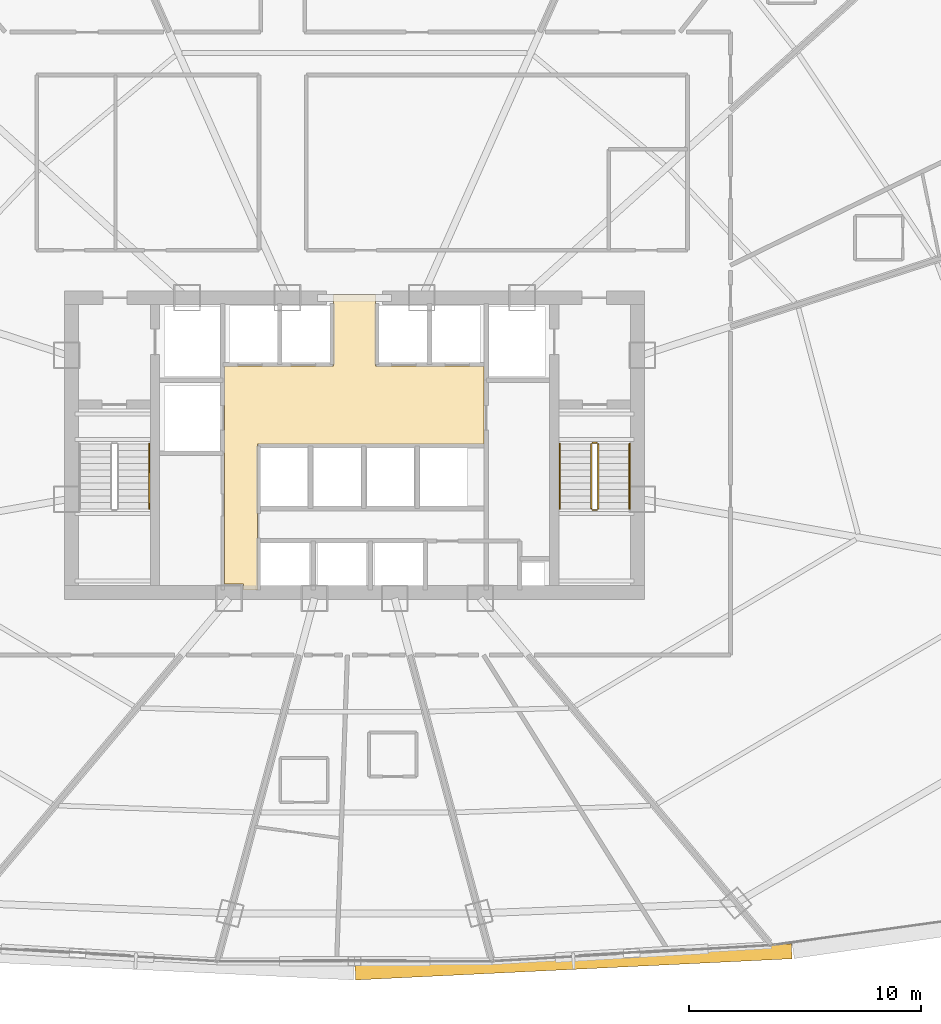
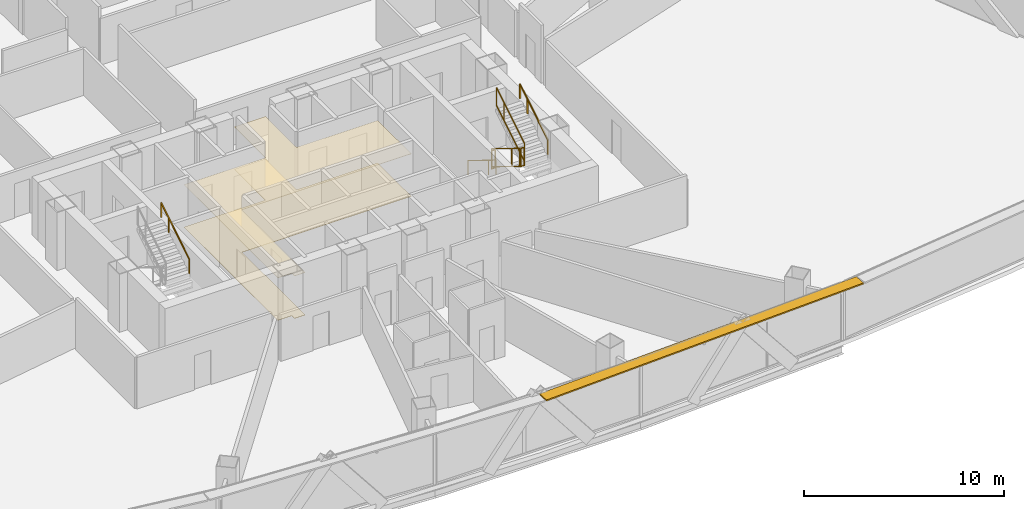
# One storey, part 35 of 37: 7 railings, 2 coverings, 1 shading device.
"""IFC4 building model written with IfcOpenShell, lengths in metres."""

from ifc_helpers import new_model, si_unit, direction, frame, origin, origin_2d, place, context, subcontext, project, spatial, polyline, rectangle, outline, extrude, source, transform, mapped, material, layer, layer_set, type_object, element, save


model = new_model("IFC4")

# Units and contexts
model_context = context("Model", 3, precision=1e-05, world=origin(), true_north=direction((0.0, 1.0)))
body_context = subcontext(model_context, "Body", "Model", "MODEL_VIEW")
ifc_project = project(units=[si_unit("LENGTHUNIT", "METRE"), si_unit("AREAUNIT", "SQUARE_METRE"), si_unit("VOLUMEUNIT", "CUBIC_METRE"), si_unit("PLANEANGLEUNIT", "RADIAN"), si_unit("MASSUNIT", "GRAM", prefix="KILO"), si_unit("THERMODYNAMICTEMPERATUREUNIT", "KELVIN"), si_unit("POWERUNIT", "WATT")], contexts=[model_context])

# Site, building, storey
site_placement = place(None, origin())
site = spatial("IfcSite", under=ifc_project, at=site_placement, CompositionType="ELEMENT")
building_placement = place(site_placement, origin())
building = spatial("IfcBuilding", under=site, at=building_placement, Name="Yunzhuo Pagoda Commons", CompositionType="ELEMENT")
storey_placement = place(building_placement, frame((0.0, 0.0, 84.97998046875)))
storey = spatial("IfcBuildingStorey", under=building, at=storey_placement, Name="L21", CompositionType="ELEMENT", Elevation=84.97998046875)

# Coverings
ifc_material_1 = material(Name="Mineral fibre acoustic ceiling board")
ifc_layer_1 = layer(ifc_material_1, 0.02490234375)
ifc_layer_set_1 = layer_set([ifc_layer_1], Name="Mineral fibre acoustic ceiling board")
covering_type_1 = type_object("IfcCoveringType", Name="COV-CL1 Ceiling 25", PredefinedType="CEILING", material=ifc_layer_set_1)
covering_1_placement = place(storey_placement, frame((0.0, 0.0, 2.590087890625)))
element("IfcCovering", 1, at=covering_1_placement, inside=storey, type_object=covering_type_1, Name="L21 lift lobby acoustic ceiling", PredefinedType="CEILING", context=body_context, shape_type="SweptSolid", body=[
    extrude(outline(polyline([(43.207763671875, 27.85009765625), (43.201904296875, 27.864013671875), (43.187744140625, 27.8701171875), (42.39990234375, 27.8701171875), (42.39990234375, 33.89990234375), (42.39990234375, 37.25), (47.10009765625, 37.25), (47.10009765625, 40.35009765625), (48.89990234375, 40.35009765625), (48.89990234375, 37.25), (53.580078125, 37.25), (53.580078125, 33.89990234375), (43.820068359375, 33.89990234375), (43.820068359375, 27.60009765625), (43.207763671875, 27.60009765625), (43.207763671875, 27.85009765625)])), origin(), (0.0, 0.0, 1.0), 0.02490234375),
])
ifc_material_2 = material(Name="Porcelain ceramic floor tile")
ifc_layer_2 = layer(ifc_material_2, 0.02001953125)
ifc_layer_set_2 = layer_set([ifc_layer_2], Name="Porcelain ceramic floor tile")
covering_type_2 = type_object("IfcCoveringType", Name="COV-FL1 Flooring 20", PredefinedType="FLOORING", material=ifc_layer_set_2)
covering_2_placement = place(storey_placement, origin())
element("IfcCovering", 2, at=covering_2_placement, inside=storey, type_object=covering_type_2, Name="L21 lift lobby flooring", PredefinedType="FLOORING", context=body_context, shape_type="SweptSolid", body=[
    extrude(outline(polyline([(43.207763671875, 27.85009765625), (43.201904296875, 27.864013671875), (43.187744140625, 27.8701171875), (42.39990234375, 27.8701171875), (42.39990234375, 33.89990234375), (42.39990234375, 37.25), (47.10009765625, 37.25), (47.10009765625, 40.35009765625), (48.89990234375, 40.35009765625), (48.89990234375, 37.25), (53.580078125, 37.25), (53.580078125, 33.89990234375), (43.820068359375, 33.89990234375), (43.820068359375, 27.60009765625), (43.207763671875, 27.60009765625), (43.207763671875, 27.85009765625)])), origin(), (0.0, 0.0, 1.0), 0.02001953125),
])

# Railings
ifc_material_3 = material(Name="Anodized aluminium 6063-T6", Category="aluminium")
railing_type_1 = type_object("IfcRailingType", Name="GR-ST2 Stair Well Guardrail 1160", PredefinedType="GUARDRAIL", material=ifc_material_3)
railing_1_placement = place(storey_placement, frame((58.199951171875, 33.89990234375, 0.1728515625)))
element("IfcRailing", 3, at=railing_1_placement, inside=storey, type_object=railing_type_1, Name="L21 ST2 stair guard 1", PredefinedType="GUARDRAIL", context=body_context, shape_type="SweptSolid", body=[
    extrude(rectangle(XDim=0.048095703125, YDim=0.048095703125, at=origin_2d()), frame((0.0, 0.0, 1.1259765625), z_axis=(0.0, -0.851102337555, 0.524999820009), x_axis=(1.0, 0.0, 0.0)), (0.0, 0.0, 1.0), 3.28955078125),
    extrude(rectangle(XDim=0.048095703125, YDim=0.048095703125, at=origin_2d()), frame((0.0, 0.0, 0.02392578125), z_axis=(0.0, -0.851102337555, 0.524999820009), x_axis=(1.0, 0.0, 0.0)), (0.0, 0.0, 1.0), 3.28955078125),
    extrude(rectangle(XDim=0.0419921875, YDim=0.0419921875, at=origin_2d()), origin(), (0.0, 0.0, 1.0), 1.101806640625),
    extrude(rectangle(XDim=0.0419921875, YDim=0.0419921875, at=origin_2d()), frame((0.0, -2.042724609375, 1.260009765625)), (0.0, 0.0, 1.0), 1.101806640625),
    extrude(rectangle(XDim=0.0419921875, YDim=0.0419921875, at=origin_2d()), frame((0.0, -2.7998046875, 1.72705078125)), (0.0, 0.0, 1.0), 1.101806640625),
])
railing_2_placement = place(storey_placement, frame((58.25, 31.050048828125, 1.89990234375)))
element("IfcRailing", 4, at=railing_2_placement, inside=storey, type_object=railing_type_1, Name="L21 ST2 stair guard 2", PredefinedType="GUARDRAIL", context=body_context, shape_type="SweptSolid", body=[
    extrude(rectangle(XDim=0.048095703125, YDim=0.048095703125, at=origin_2d()), frame((0.0, 0.0, 1.1259765625), z_axis=(1.0, 0.0, 0.0), x_axis=(0.0, 1.0, 0.0)), (0.0, 0.0, 1.0), 0.199951171875),
    extrude(rectangle(XDim=0.048095703125, YDim=0.048095703125, at=origin_2d()), frame((0.0, 0.0, 0.02392578125), z_axis=(1.0, 0.0, 0.0), x_axis=(0.0, 1.0, 0.0)), (0.0, 0.0, 1.0), 0.199951171875),
    extrude(rectangle(XDim=0.0419921875, YDim=0.0419921875, at=origin_2d()), origin(), (0.0, 0.0, 1.0), 1.101806640625),
    extrude(rectangle(XDim=0.0419921875, YDim=0.0419921875, at=origin_2d()), frame((0.199951171875, 0.0, 0.0)), (0.0, 0.0, 1.0), 1.101806640625),
])
railing_3_placement = place(storey_placement, frame((58.5, 31.10009765625, 2.07275390625)))
element("IfcRailing", 5, at=railing_3_placement, inside=storey, type_object=railing_type_1, Name="L21 ST2 stair guard 3", PredefinedType="GUARDRAIL", context=body_context, shape_type="SweptSolid", body=[
    extrude(rectangle(XDim=0.048095703125, YDim=0.048095703125, at=origin_2d()), frame((0.0, 0.0, 1.1259765625), z_axis=(0.0, 0.851069175582, 0.525053576669), x_axis=(-1.0, 0.0, 0.0)), (0.0, 0.0, 1.0), 3.289794921875),
    extrude(rectangle(XDim=0.048095703125, YDim=0.048095703125, at=origin_2d()), frame((0.0, 0.0, 0.02392578125), z_axis=(0.0, 0.851069175582, 0.525053576669), x_axis=(-1.0, 0.0, 0.0)), (0.0, 0.0, 1.0), 3.289794921875),
    extrude(rectangle(XDim=0.0419921875, YDim=0.0419921875, at=origin_2d()), origin(), (0.0, 0.0, 1.0), 1.101806640625),
    extrude(rectangle(XDim=0.0419921875, YDim=0.0419921875, at=origin_2d()), frame((0.0, 2.04248046875, 1.260009765625)), (0.0, 0.0, 1.0), 1.101806640625),
    extrude(rectangle(XDim=0.0419921875, YDim=0.0419921875, at=origin_2d()), frame((0.0, 2.7998046875, 1.727294921875)), (0.0, 0.0, 1.0), 1.101806640625),
])
railing_4_placement = place(storey_placement, frame((58.25, 33.949951171875, 0.0)))
element("IfcRailing", 6, at=railing_4_placement, inside=storey, type_object=railing_type_1, Name="L21 ST2 stair guard 4", PredefinedType="GUARDRAIL", context=body_context, shape_type="SweptSolid", body=[
    extrude(rectangle(XDim=0.048095703125, YDim=0.048095703125, at=origin_2d()), frame((0.0, 0.0, 1.1259765625), z_axis=(1.0, 0.0, 0.0), x_axis=(0.0, 1.0, 0.0)), (0.0, 0.0, 1.0), 0.199951171875),
    extrude(rectangle(XDim=0.048095703125, YDim=0.048095703125, at=origin_2d()), frame((0.0, 0.0, 0.02392578125), z_axis=(1.0, 0.0, 0.0), x_axis=(0.0, 1.0, 0.0)), (0.0, 0.0, 1.0), 0.199951171875),
    extrude(rectangle(XDim=0.0419921875, YDim=0.0419921875, at=origin_2d()), origin(), (0.0, 0.0, 1.0), 1.101806640625),
    extrude(rectangle(XDim=0.0419921875, YDim=0.0419921875, at=origin_2d()), frame((0.199951171875, 0.0, 0.0)), (0.0, 0.0, 1.0), 1.101806640625),
])
railing_type_2 = type_object("IfcRailingType", Name="HR-ST1 Stair Handrail 900", PredefinedType="HANDRAIL", material=ifc_material_3)
railing_5_placement = place(storey_placement, frame((39.14990234375, 31.10009765625, 2.07275390625)))
element("IfcRailing", 7, at=railing_5_placement, inside=storey, type_object=railing_type_2, Name="L21 ST1 stair handrail 2", PredefinedType="HANDRAIL", context=body_context, shape_type="SweptSolid", body=[
    extrude(rectangle(XDim=0.048095703125, YDim=0.048095703125, at=origin_2d()), frame((0.0, 0.0, 0.8759765625), z_axis=(0.0, 0.851069175582, 0.525053576669), x_axis=(-1.0, 0.0, 0.0)), (0.0, 0.0, 1.0), 3.289794921875),
    extrude(rectangle(XDim=0.0419921875, YDim=0.0419921875, at=origin_2d()), origin(), (0.0, 0.0, 1.0), 0.851806640625),
    extrude(rectangle(XDim=0.0419921875, YDim=0.0419921875, at=origin_2d()), frame((0.0, 2.04248046875, 1.260009765625)), (0.0, 0.0, 1.0), 0.851806640625),
    extrude(rectangle(XDim=0.0419921875, YDim=0.0419921875, at=origin_2d()), frame((0.0, 2.7998046875, 1.727294921875)), (0.0, 0.0, 1.0), 0.851806640625),
])
railing_type_3 = type_object("IfcRailingType", Name="HR-ST2 Stair Handrail 900", PredefinedType="HANDRAIL", material=ifc_material_3)
railing_6_placement = place(storey_placement, frame((56.85009765625, 33.89990234375, 0.1728515625)))
element("IfcRailing", 8, at=railing_6_placement, inside=storey, type_object=railing_type_3, Name="L21 ST2 stair handrail 1", PredefinedType="HANDRAIL", context=body_context, shape_type="SweptSolid", body=[
    extrude(rectangle(XDim=0.048095703125, YDim=0.048095703125, at=origin_2d()), frame((0.0, 0.0, 0.8759765625), z_axis=(0.0, -0.851102337555, 0.524999820009), x_axis=(1.0, 0.0, 0.0)), (0.0, 0.0, 1.0), 3.28955078125),
    extrude(rectangle(XDim=0.0419921875, YDim=0.0419921875, at=origin_2d()), origin(), (0.0, 0.0, 1.0), 0.851806640625),
    extrude(rectangle(XDim=0.0419921875, YDim=0.0419921875, at=origin_2d()), frame((0.0, -2.042724609375, 1.260009765625)), (0.0, 0.0, 1.0), 0.851806640625),
    extrude(rectangle(XDim=0.0419921875, YDim=0.0419921875, at=origin_2d()), frame((0.0, -2.7998046875, 1.72705078125)), (0.0, 0.0, 1.0), 0.851806640625),
])
railing_7_placement = place(storey_placement, frame((59.85009765625, 31.10009765625, 2.07275390625)))
element("IfcRailing", 9, at=railing_7_placement, inside=storey, type_object=railing_type_3, Name="L21 ST2 stair handrail 2", PredefinedType="HANDRAIL", context=body_context, shape_type="SweptSolid", body=[
    extrude(rectangle(XDim=0.048095703125, YDim=0.048095703125, at=origin_2d()), frame((0.0, 0.0, 0.8759765625), z_axis=(0.0, 0.851069175582, 0.525053576669), x_axis=(-1.0, 0.0, 0.0)), (0.0, 0.0, 1.0), 3.289794921875),
    extrude(rectangle(XDim=0.0419921875, YDim=0.0419921875, at=origin_2d()), origin(), (0.0, 0.0, 1.0), 0.851806640625),
    extrude(rectangle(XDim=0.0419921875, YDim=0.0419921875, at=origin_2d()), frame((0.0, 2.04248046875, 1.260009765625)), (0.0, 0.0, 1.0), 0.851806640625),
    extrude(rectangle(XDim=0.0419921875, YDim=0.0419921875, at=origin_2d()), frame((0.0, 2.7998046875, 1.727294921875)), (0.0, 0.0, 1.0), 0.851806640625),
])

# Shading device
ifc_layer_3 = layer(ifc_material_3, 0.080078125)
ifc_layer_set_3 = layer_set([ifc_layer_3], Name="Anodized aluminium 6063-T6")
shading_device_type = type_object("IfcShadingDeviceType", Name="SH-SUN1 Pagoda Horizontal Sunshade Eave 650", PredefinedType="USERDEFINED", material=ifc_layer_set_3)
shared_shape = source(origin(), body_context, "Body", "SweptSolid", [
    extrude(rectangle(XDim=18.830810546875, YDim=0.64990234375, at=origin_2d()), origin(), (0.0, 0.0, 1.0), 0.080078125),
])
shading_device_placement = place(storey_placement, frame((57.43603515625, 11.57861328125, 3.4599609375), z_axis=(0.0, 0.0, 1.0), x_axis=(0.998818043775, 0.04860571396, 0.0)))
element("IfcShadingDevice", 10, at=shading_device_placement, inside=storey, type_object=shading_device_type, Name="L21 horizontal pagoda sunshade eave F1.3", ObjectType="SUNSHADE", PredefinedType="USERDEFINED", context=body_context, shape_type="MappedRepresentation", body=[
    mapped(shared_shape, transform((0.0, 0.0, 0.0), scale=1.0)),
])

save(model, "model.ifc")
